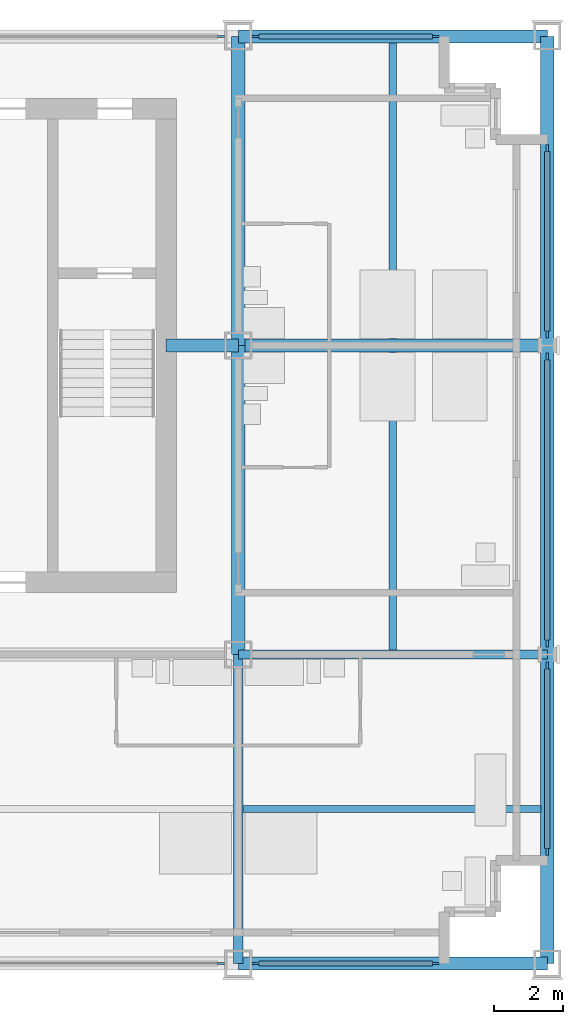
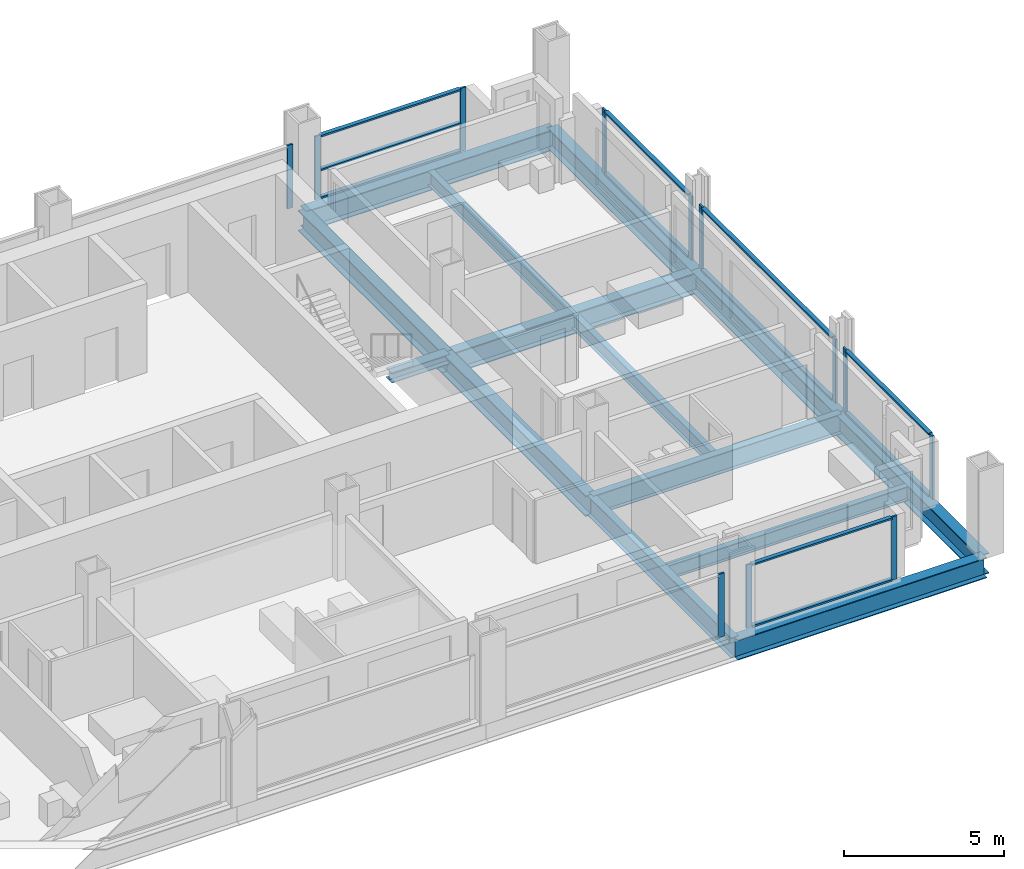
# One storey, part 5 of 13: 24 members, 13 beams, 7 elements without a shape of their own.
"""IFC4 building model written with IfcOpenShell, lengths in metres."""

from ifc_helpers import new_model, si_unit, direction, frame, origin, origin_2d, place, context, subcontext, project, spatial, rectangle, i_section, extrude, material, material_profile, profile_set, type_object, element, aggregate, save


model = new_model("IFC4")

# Units and contexts
model_context = context("Model", 3, precision=1e-05, world=origin(), true_north=direction((0.0, 1.0)))
body_context = subcontext(model_context, "Body", "Model", "MODEL_VIEW")
ifc_project = project(units=[si_unit("LENGTHUNIT", "METRE"), si_unit("AREAUNIT", "SQUARE_METRE"), si_unit("VOLUMEUNIT", "CUBIC_METRE"), si_unit("PLANEANGLEUNIT", "RADIAN"), si_unit("MASSUNIT", "GRAM", prefix="KILO")], contexts=[model_context])

# Site, building, storey
site_placement = place(None, origin())
site = spatial("IfcSite", under=ifc_project, at=site_placement, CompositionType="ELEMENT")
building_placement = place(site_placement, origin())
building = spatial("IfcBuilding", under=site, at=building_placement, Name="Loomwork Tower", CompositionType="ELEMENT")
storey_placement = place(building_placement, frame((0.0, 0.0, 187.60009765625)))
storey = spatial("IfcBuildingStorey", under=building, at=storey_placement, Name="L51", CompositionType="ELEMENT", Elevation=187.60009765625)

# Beams
ifc_material_1 = material(Name="Steel ASTM A992", Category="steel")
ifc_material_profile_1 = material_profile(ifc_material_1, i_section(OverallWidth=0.383544921875, OverallDepth=0.794921875, WebThickness=0.02099609375, FlangeThickness=0.0380859375, at=origin_2d()), Name="W30x235")
ifc_profile_set_1 = profile_set([ifc_material_profile_1], Name="Steel ASTM A992")
beam_type_1 = type_object("IfcBeamType", Name="CORE FLANK GIRDER W30x235", PredefinedType="BEAM", material=ifc_profile_set_1)
for number, where, z_axis, x_axis, name in (
    (1, (36.0, 18.0, -0.59765625), (1.0, 0.0, 0.0), (0.0, 1.0, 0.0), "Core Flank Girder F/6-F/7 L51"),
    (2, (36.0, 9.0, -0.59765625), (0.0, 1.0, 0.0), (-1.0, 0.0, 0.0), "Core Flank Girder E/6-F/6 L51"),
    (3, (36.0, 18.0, -0.59765625), (0.0, 1.0, 0.0), (-1.0, 0.0, 0.0), "Core Flank Girder F/6-G/6 L51"),
):
    element("IfcBeam", number, at=place(storey_placement, frame(where, z_axis=z_axis, x_axis=x_axis)), inside=storey, type_object=beam_type_1, Name=name, PredefinedType="BEAM", context=body_context, shape_type="SweptSolid", body=[
        extrude(i_section(OverallWidth=0.383544921875, OverallDepth=0.794921875, WebThickness=0.02099609375, FlangeThickness=0.0380859375, at=origin_2d()), origin(), (0.0, 0.0, 1.0), 9.0),
    ])

# Member
ifc_material_2 = material(Name="Steel ASTM A992", Category="steel")
ifc_material_profile_2 = material_profile(ifc_material_2, i_section(OverallWidth=0.373291015625, OverallDepth=0.373291015625, WebThickness=0.016357421875, FlangeThickness=0.026123046875, at=origin_2d()), Name="W14x132")
ifc_profile_set_2 = profile_set([ifc_material_profile_2], Name="Steel ASTM A992")
member_type_1 = type_object("IfcMemberType", Name="CORE LINK STRUT W14x132", PredefinedType="STRUT", material=ifc_profile_set_2)
member_1_placement = place(storey_placement, frame((36.0, 18.0, -0.38671875), z_axis=(-1.0, 0.0, 0.0), x_axis=(0.0, -1.0, 0.0)))
element("IfcMember", 4, at=member_1_placement, inside=storey, type_object=member_type_1, Name="Core link strut F/6-33.900,18.000 L51", PredefinedType="STRUT", context=body_context, shape_type="SweptSolid", body=[
    extrude(i_section(OverallWidth=0.373291015625, OverallDepth=0.373291015625, WebThickness=0.016357421875, FlangeThickness=0.026123046875, at=origin_2d()), origin(), (0.0, 0.0, 1.0), 2.10009765625),
])

# Beams
ifc_material_3 = material(Name="Steel ASTM A992", Category="steel")
ifc_material_profile_3 = material_profile(ifc_material_3, i_section(OverallWidth=0.2666015625, OverallDepth=0.761962890625, WebThickness=0.014404296875, FlangeThickness=0.021484375, at=origin_2d()), Name="W30x116")
ifc_profile_set_3 = profile_set([ifc_material_profile_3], Name="Steel ASTM A992")
beam_type_2 = type_object("IfcBeamType", Name="FLOOR GIRDER W30x116", PredefinedType="BEAM", material=ifc_profile_set_3)
for number, where, z_axis, x_axis, name in (
    (5, (36.0, 9.0, -0.5810546875), (1.0, 0.0, 0.0), (0.0, 1.0, 0.0), "Floor Girder E/6-E/7 L51"),
    (6, (36.0, 0.0, -0.5810546875), (0.0, 1.0, 0.0), (-1.0, 0.0, 0.0), "Floor Girder D/6-E/6 L51"),
):
    element("IfcBeam", number, at=place(storey_placement, frame(where, z_axis=z_axis, x_axis=x_axis)), inside=storey, type_object=beam_type_2, Name=name, PredefinedType="BEAM", context=body_context, shape_type="SweptSolid", body=[
        extrude(i_section(OverallWidth=0.2666015625, OverallDepth=0.761962890625, WebThickness=0.014404296875, FlangeThickness=0.021484375, at=origin_2d()), origin(), (0.0, 0.0, 1.0), 9.0),
    ])
ifc_material_4 = material(Name="Steel ASTM A992", Category="steel")
ifc_material_profile_4 = material_profile(ifc_material_4, i_section(OverallWidth=0.2109375, OverallDepth=0.53857421875, WebThickness=0.011474609375, FlangeThickness=0.018798828125, at=origin_2d()), Name="W21x73")
ifc_profile_set_4 = profile_set([ifc_material_profile_4], Name="Steel ASTM A992")
beam_type_3 = type_object("IfcBeamType", Name="FLOOR JOIST W21x73", PredefinedType="JOIST", material=ifc_profile_set_4)
beam_1_placement = place(storey_placement, frame((36.133056640625, 4.5, -0.46923828125), z_axis=(1.0, 0.0, 0.0), x_axis=(0.0, 1.0, 0.0)))
element("IfcBeam", 7, at=beam_1_placement, inside=storey, type_object=beam_type_3, Name="Floor Joist 36.000,4.500-45.000,4.500 L51", PredefinedType="JOIST", context=body_context, shape_type="SweptSolid", body=[
    extrude(i_section(OverallWidth=0.2109375, OverallDepth=0.53857421875, WebThickness=0.011474609375, FlangeThickness=0.018798828125, at=origin_2d()), origin(), (0.0, 0.0, 1.0), 8.677001953125),
])
beam_2_placement = place(storey_placement, frame((40.5, 9.133056640625, -0.46923828125), z_axis=(0.0, 1.0, 0.0), x_axis=(-1.0, 0.0, 0.0)))
element("IfcBeam", 8, at=beam_2_placement, inside=storey, type_object=beam_type_3, Name="Floor Joist 40.500,9.000-40.500,18.000 L51", PredefinedType="JOIST", context=body_context, shape_type="SweptSolid", body=[
    extrude(i_section(OverallWidth=0.2109375, OverallDepth=0.53857421875, WebThickness=0.011474609375, FlangeThickness=0.018798828125, at=origin_2d()), origin(), (0.0, 0.0, 1.0), 8.676025390625),
])
beam_3_placement = place(storey_placement, frame((40.5, 18.19091796875, -0.46923828125), z_axis=(0.0, 1.0, 0.0), x_axis=(-1.0, 0.0, 0.0)))
element("IfcBeam", 9, at=beam_3_placement, inside=storey, type_object=beam_type_3, Name="Floor Joist 40.500,18.000-40.500,27.000 L51", PredefinedType="JOIST", context=body_context, shape_type="SweptSolid", body=[
    extrude(i_section(OverallWidth=0.2109375, OverallDepth=0.53857421875, WebThickness=0.011474609375, FlangeThickness=0.018798828125, at=origin_2d()), origin(), (0.0, 0.0, 1.0), 8.619140625),
])

# Curtain wall, member
ifc_material_5 = material(Name="Aluminium curtain wall frame", Category="aluminium")
curtain_wall_type_1 = type_object("IfcCurtainWallType", Name="Outer skin glazing hotel", PredefinedType="NOTDEFINED", material=ifc_material_5)
curtain_wall_1_placement = place(storey_placement, origin())
curtain_wall_1 = element("IfcCurtainWall", 10, at=curtain_wall_1_placement, inside=storey, type_object=curtain_wall_type_1, Name="Outer skin glazing hotel cw/S-27", PredefinedType="NOTDEFINED")
ifc_material_6 = material(Name="Aluminium curtain wall frame", Category="aluminium")
ifc_material_profile_5 = material_profile(ifc_material_6, rectangle(XDim=0.06494140625, YDim=0.199951171875, at=origin_2d()), Name="AL 65x200")
ifc_profile_set_5 = profile_set([ifc_material_profile_5], Name="Aluminium curtain wall frame")
member_type_2 = type_object("IfcMemberType", Name="Outer skin glazing hotel mullion", PredefinedType="MULLION", material=ifc_profile_set_5)
member_2_placement = place(storey_placement, frame((35.5, 0.0, 0.0), z_axis=(0.0, 0.0, 1.0), x_axis=(0.0, 1.0, 0.0)))
member_2 = element("IfcMember", 11, at=member_2_placement, type_object=member_type_2, Name="CW1 mullion 2", PredefinedType="MULLION", context=body_context, shape_type="SweptSolid", body=[
    extrude(rectangle(XDim=0.06494140625, YDim=0.199951171875, at=origin_2d()), origin(), (0.0, 0.0, 1.0), 2.420166015625),
])
aggregate(curtain_wall_1, [member_2])

# Curtain wall, members
curtain_wall_2_placement = place(storey_placement, origin())
curtain_wall_2 = element("IfcCurtainWall", 12, at=curtain_wall_2_placement, inside=storey, type_object=curtain_wall_type_1, Name="Outer skin glazing hotel cw/S-36", PredefinedType="NOTDEFINED")
member_3_placement = place(storey_placement, frame((36.5, 0.0, 0.0), z_axis=(0.0, 0.0, 1.0), x_axis=(0.0, 1.0, 0.0)))
member_3 = element("IfcMember", 13, at=member_3_placement, type_object=member_type_2, Name="CW1 mullion 1", PredefinedType="MULLION", context=body_context, shape_type="SweptSolid", body=[
    extrude(rectangle(XDim=0.06494140625, YDim=0.199951171875, at=origin_2d()), origin(), (0.0, 0.0, 1.0), 2.420166015625),
])
member_4_placement = place(storey_placement, frame((41.75, 0.0, 0.0), z_axis=(0.0, 0.0, 1.0), x_axis=(0.0, 1.0, 0.0)))
member_4 = element("IfcMember", 14, at=member_4_placement, type_object=member_type_2, Name="CW1 mullion 2", PredefinedType="MULLION", context=body_context, shape_type="SweptSolid", body=[
    extrude(rectangle(XDim=0.06494140625, YDim=0.199951171875, at=origin_2d()), origin(), (0.0, 0.0, 1.0), 2.420166015625),
])

curtain_wall_3_placement = place(storey_placement, origin())
curtain_wall_3 = element("IfcCurtainWall", 15, at=curtain_wall_3_placement, inside=storey, type_object=curtain_wall_type_1, Name="Outer skin glazing hotel cw/E-0", PredefinedType="NOTDEFINED")
member_5_placement = place(storey_placement, frame((45.0, 3.25, 0.0), z_axis=(0.0, 0.0, 1.0), x_axis=(-1.0, 0.0, 0.0)))
member_5 = element("IfcMember", 16, at=member_5_placement, type_object=member_type_2, Name="CW1 mullion 1", PredefinedType="MULLION", context=body_context, shape_type="SweptSolid", body=[
    extrude(rectangle(XDim=0.06494140625, YDim=0.199951171875, at=origin_2d()), origin(), (0.0, 0.0, 1.0), 2.420166015625),
])
member_6_placement = place(storey_placement, frame((45.0, 8.67529296875, 0.0), z_axis=(0.0, 0.0, 1.0), x_axis=(-1.0, 0.0, 0.0)))
member_6 = element("IfcMember", 17, at=member_6_placement, type_object=member_type_2, Name="CW1 mullion 2", PredefinedType="MULLION", context=body_context, shape_type="SweptSolid", body=[
    extrude(rectangle(XDim=0.06494140625, YDim=0.199951171875, at=origin_2d()), origin(), (0.0, 0.0, 1.0), 2.420166015625),
])

curtain_wall_4_placement = place(storey_placement, origin())
curtain_wall_4 = element("IfcCurtainWall", 18, at=curtain_wall_4_placement, inside=storey, type_object=curtain_wall_type_1, Name="Outer skin glazing hotel cw/E-9", PredefinedType="NOTDEFINED")
member_7_placement = place(storey_placement, frame((45.0, 9.32470703125, 0.0), z_axis=(0.0, 0.0, 1.0), x_axis=(-1.0, 0.0, 0.0)))
member_7 = element("IfcMember", 19, at=member_7_placement, type_object=member_type_2, Name="CW1 mullion 1", PredefinedType="MULLION", context=body_context, shape_type="SweptSolid", body=[
    extrude(rectangle(XDim=0.06494140625, YDim=0.199951171875, at=origin_2d()), origin(), (0.0, 0.0, 1.0), 2.420166015625),
])
member_8_placement = place(storey_placement, frame((45.0, 17.67529296875, 0.0), z_axis=(0.0, 0.0, 1.0), x_axis=(-1.0, 0.0, 0.0)))
member_8 = element("IfcMember", 20, at=member_8_placement, type_object=member_type_2, Name="CW1 mullion 2", PredefinedType="MULLION", context=body_context, shape_type="SweptSolid", body=[
    extrude(rectangle(XDim=0.06494140625, YDim=0.199951171875, at=origin_2d()), origin(), (0.0, 0.0, 1.0), 2.420166015625),
])

curtain_wall_5_placement = place(storey_placement, origin())
curtain_wall_5 = element("IfcCurtainWall", 21, at=curtain_wall_5_placement, inside=storey, type_object=curtain_wall_type_1, Name="Outer skin glazing hotel cw/E-18", PredefinedType="NOTDEFINED")
member_9_placement = place(storey_placement, frame((45.0, 18.32470703125, 0.0), z_axis=(0.0, 0.0, 1.0), x_axis=(-1.0, 0.0, 0.0)))
member_9 = element("IfcMember", 22, at=member_9_placement, type_object=member_type_2, Name="CW1 mullion 1", PredefinedType="MULLION", context=body_context, shape_type="SweptSolid", body=[
    extrude(rectangle(XDim=0.06494140625, YDim=0.199951171875, at=origin_2d()), origin(), (0.0, 0.0, 1.0), 2.420166015625),
])
member_10_placement = place(storey_placement, frame((45.0, 23.75, 0.0), z_axis=(0.0, 0.0, 1.0), x_axis=(-1.0, 0.0, 0.0)))
member_10 = element("IfcMember", 23, at=member_10_placement, type_object=member_type_2, Name="CW1 mullion 2", PredefinedType="MULLION", context=body_context, shape_type="SweptSolid", body=[
    extrude(rectangle(XDim=0.06494140625, YDim=0.199951171875, at=origin_2d()), origin(), (0.0, 0.0, 1.0), 2.420166015625),
])

# Member
ifc_material_7 = material(Name="Aluminium curtain wall frame", Category="aluminium")
ifc_material_profile_6 = material_profile(ifc_material_7, rectangle(XDim=0.14990234375, YDim=0.06494140625, at=origin_2d()), Name="AL 65x150")
ifc_profile_set_6 = profile_set([ifc_material_profile_6], Name="Aluminium curtain wall frame")
member_type_3 = type_object("IfcMemberType", Name="Outer skin glazing hotel transom", PredefinedType="USERDEFINED", material=ifc_profile_set_6)
member_11_placement = place(storey_placement, frame((36.60009765625, 0.0, 0.032470703125), z_axis=(1.0, 0.0, 0.0), x_axis=(0.0, 1.0, 0.0)))
member_11 = element("IfcMember", 24, at=member_11_placement, type_object=member_type_3, Name="CW1 transom 1.1", ObjectType="TRANSOM", PredefinedType="USERDEFINED", context=body_context, shape_type="SweptSolid", body=[
    extrude(rectangle(XDim=0.14990234375, YDim=0.06494140625, at=origin_2d()), origin(), (0.0, 0.0, 1.0), 5.0498046875),
])

member_12_placement = place(storey_placement, frame((36.60009765625, 0.0, 2.3876953125), z_axis=(1.0, 0.0, 0.0), x_axis=(0.0, 1.0, 0.0)))
member_12 = element("IfcMember", 25, at=member_12_placement, type_object=member_type_3, Name="CW1 transom 1.2", ObjectType="TRANSOM", PredefinedType="USERDEFINED", context=body_context, shape_type="SweptSolid", body=[
    extrude(rectangle(XDim=0.14990234375, YDim=0.06494140625, at=origin_2d()), origin(), (0.0, 0.0, 1.0), 5.0498046875),
])

aggregate(curtain_wall_2, [member_3, member_4, member_11, member_12])

member_13_placement = place(storey_placement, frame((45.0, 3.35009765625, 0.032470703125), z_axis=(0.0, 1.0, 0.0), x_axis=(-1.0, 0.0, 0.0)))
member_13 = element("IfcMember", 26, at=member_13_placement, type_object=member_type_3, Name="CW1 transom 1.1", ObjectType="TRANSOM", PredefinedType="USERDEFINED", context=body_context, shape_type="SweptSolid", body=[
    extrude(rectangle(XDim=0.14990234375, YDim=0.06494140625, at=origin_2d()), origin(), (0.0, 0.0, 1.0), 5.22509765625),
])

member_14_placement = place(storey_placement, frame((45.0, 3.35009765625, 2.3876953125), z_axis=(0.0, 1.0, 0.0), x_axis=(-1.0, 0.0, 0.0)))
member_14 = element("IfcMember", 27, at=member_14_placement, type_object=member_type_3, Name="CW1 transom 1.2", ObjectType="TRANSOM", PredefinedType="USERDEFINED", context=body_context, shape_type="SweptSolid", body=[
    extrude(rectangle(XDim=0.14990234375, YDim=0.06494140625, at=origin_2d()), origin(), (0.0, 0.0, 1.0), 5.22509765625),
])

aggregate(curtain_wall_3, [member_5, member_6, member_13, member_14])

member_15_placement = place(storey_placement, frame((45.0, 9.4248046875, 0.032470703125), z_axis=(0.0, 1.0, 0.0), x_axis=(-1.0, 0.0, 0.0)))
member_15 = element("IfcMember", 28, at=member_15_placement, type_object=member_type_3, Name="CW1 transom 1.1", ObjectType="TRANSOM", PredefinedType="USERDEFINED", context=body_context, shape_type="SweptSolid", body=[
    extrude(rectangle(XDim=0.14990234375, YDim=0.06494140625, at=origin_2d()), origin(), (0.0, 0.0, 1.0), 8.150390625),
])

member_16_placement = place(storey_placement, frame((45.0, 9.4248046875, 2.3876953125), z_axis=(0.0, 1.0, 0.0), x_axis=(-1.0, 0.0, 0.0)))
member_16 = element("IfcMember", 29, at=member_16_placement, type_object=member_type_3, Name="CW1 transom 1.2", ObjectType="TRANSOM", PredefinedType="USERDEFINED", context=body_context, shape_type="SweptSolid", body=[
    extrude(rectangle(XDim=0.14990234375, YDim=0.06494140625, at=origin_2d()), origin(), (0.0, 0.0, 1.0), 8.150390625),
])

aggregate(curtain_wall_4, [member_7, member_8, member_15, member_16])

member_17_placement = place(storey_placement, frame((45.0, 18.4248046875, 0.032470703125), z_axis=(0.0, 1.0, 0.0), x_axis=(-1.0, 0.0, 0.0)))
member_17 = element("IfcMember", 30, at=member_17_placement, type_object=member_type_3, Name="CW1 transom 1.1", ObjectType="TRANSOM", PredefinedType="USERDEFINED", context=body_context, shape_type="SweptSolid", body=[
    extrude(rectangle(XDim=0.14990234375, YDim=0.06494140625, at=origin_2d()), origin(), (0.0, 0.0, 1.0), 5.22509765625),
])

member_18_placement = place(storey_placement, frame((45.0, 18.4248046875, 2.3876953125), z_axis=(0.0, 1.0, 0.0), x_axis=(-1.0, 0.0, 0.0)))
member_18 = element("IfcMember", 31, at=member_18_placement, type_object=member_type_3, Name="CW1 transom 1.2", ObjectType="TRANSOM", PredefinedType="USERDEFINED", context=body_context, shape_type="SweptSolid", body=[
    extrude(rectangle(XDim=0.14990234375, YDim=0.06494140625, at=origin_2d()), origin(), (0.0, 0.0, 1.0), 5.22509765625),
])

aggregate(curtain_wall_5, [member_9, member_10, member_17, member_18])

# Beams
ifc_material_8 = material(Name="Steel ASTM A992", Category="steel")
ifc_material_profile_7 = material_profile(ifc_material_8, i_section(OverallWidth=0.381103515625, OverallDepth=0.77978515625, WebThickness=0.01806640625, FlangeThickness=0.0302734375, at=origin_2d()), Name="W30x191")
ifc_profile_set_7 = profile_set([ifc_material_profile_7], Name="Steel ASTM A992")
beam_type_4 = type_object("IfcBeamType", Name="SPANDREL GIRDER W30x191", PredefinedType="SPANDREL", material=ifc_profile_set_7)
for number, where, z_axis, x_axis, name in (
    (32, (36.0, 0.0, -0.590087890625), (1.0, 0.0, 0.0), (0.0, 1.0, 0.0), "Spandrel Girder D/6-D/7 L51"),
    (33, (36.0, 27.0, -0.590087890625), (1.0, 0.0, 0.0), (0.0, 1.0, 0.0), "Spandrel Girder G/6-G/7 L51"),
    (34, (45.0, 0.0, -0.590087890625), (0.0, 1.0, 0.0), (-1.0, 0.0, 0.0), "Spandrel Girder D/7-E/7 L51"),
    (35, (45.0, 9.0, -0.590087890625), (0.0, 1.0, 0.0), (-1.0, 0.0, 0.0), "Spandrel Girder E/7-F/7 L51"),
    (36, (45.0, 18.0, -0.590087890625), (0.0, 1.0, 0.0), (-1.0, 0.0, 0.0), "Spandrel Girder F/7-G/7 L51"),
):
    element("IfcBeam", number, at=place(storey_placement, frame(where, z_axis=z_axis, x_axis=x_axis)), inside=storey, type_object=beam_type_4, Name=name, PredefinedType="SPANDREL", context=body_context, shape_type="SweptSolid", body=[
        extrude(i_section(OverallWidth=0.381103515625, OverallDepth=0.77978515625, WebThickness=0.01806640625, FlangeThickness=0.0302734375, at=origin_2d()), origin(), (0.0, 0.0, 1.0), 9.0),
    ])

# Curtain wall, member
ifc_material_9 = material(Name="Aluminium curtain wall frame", Category="aluminium")
curtain_wall_type_2 = type_object("IfcCurtainWallType", Name="Single skin glazing corridor", PredefinedType="NOTDEFINED", material=ifc_material_9)
curtain_wall_6_placement = place(storey_placement, origin())
curtain_wall_6 = element("IfcCurtainWall", 37, at=curtain_wall_6_placement, inside=storey, type_object=curtain_wall_type_2, Name="Single skin glazing corridor cw/N-27", PredefinedType="NOTDEFINED")
ifc_material_10 = material(Name="Aluminium curtain wall frame", Category="aluminium")
ifc_material_profile_8 = material_profile(ifc_material_10, rectangle(XDim=0.06494140625, YDim=0.199951171875, at=origin_2d()), Name="AL 65x200")
ifc_profile_set_8 = profile_set([ifc_material_profile_8], Name="Aluminium curtain wall frame")
member_type_4 = type_object("IfcMemberType", Name="Single skin glazing corridor mullion", PredefinedType="MULLION", material=ifc_profile_set_8)
member_19_placement = place(storey_placement, frame((35.5, 27.0, 0.0), z_axis=(0.0, 0.0, 1.0), x_axis=(0.0, -1.0, 0.0)))
member_19 = element("IfcMember", 38, at=member_19_placement, type_object=member_type_4, Name="CW3 mullion 1", PredefinedType="MULLION", context=body_context, shape_type="SweptSolid", body=[
    extrude(rectangle(XDim=0.06494140625, YDim=0.199951171875, at=origin_2d()), origin(), (0.0, 0.0, 1.0), 2.420166015625),
])
aggregate(curtain_wall_6, [member_19])

# Curtain wall, members
curtain_wall_7_placement = place(storey_placement, origin())
curtain_wall_7 = element("IfcCurtainWall", 39, at=curtain_wall_7_placement, inside=storey, type_object=curtain_wall_type_2, Name="Single skin glazing corridor cw/N-36", PredefinedType="NOTDEFINED")
member_20_placement = place(storey_placement, frame((41.75, 27.0, 0.0), z_axis=(0.0, 0.0, 1.0), x_axis=(0.0, -1.0, 0.0)))
member_20 = element("IfcMember", 40, at=member_20_placement, type_object=member_type_4, Name="CW3 mullion 1", PredefinedType="MULLION", context=body_context, shape_type="SweptSolid", body=[
    extrude(rectangle(XDim=0.06494140625, YDim=0.199951171875, at=origin_2d()), origin(), (0.0, 0.0, 1.0), 2.420166015625),
])
member_21_placement = place(storey_placement, frame((36.5, 27.0, 0.0), z_axis=(0.0, 0.0, 1.0), x_axis=(0.0, -1.0, 0.0)))
member_21 = element("IfcMember", 41, at=member_21_placement, type_object=member_type_4, Name="CW3 mullion 2", PredefinedType="MULLION", context=body_context, shape_type="SweptSolid", body=[
    extrude(rectangle(XDim=0.06494140625, YDim=0.199951171875, at=origin_2d()), origin(), (0.0, 0.0, 1.0), 2.420166015625),
])
ifc_material_11 = material(Name="Aluminium curtain wall frame", Category="aluminium")
ifc_material_profile_9 = material_profile(ifc_material_11, rectangle(XDim=0.14990234375, YDim=0.06494140625, at=origin_2d()), Name="AL 65x150")
ifc_profile_set_9 = profile_set([ifc_material_profile_9], Name="Aluminium curtain wall frame")
member_type_5 = type_object("IfcMemberType", Name="Single skin glazing corridor transom", PredefinedType="USERDEFINED", material=ifc_profile_set_9)
member_22_placement = place(storey_placement, frame((41.64990234375, 27.0, 0.032470703125), z_axis=(-1.0, 0.0, 0.0), x_axis=(0.0, -1.0, 0.0)))
member_22 = element("IfcMember", 42, at=member_22_placement, type_object=member_type_5, Name="CW3 transom 1.1", ObjectType="TRANSOM", PredefinedType="USERDEFINED", context=body_context, shape_type="SweptSolid", body=[
    extrude(rectangle(XDim=0.14990234375, YDim=0.06494140625, at=origin_2d()), origin(), (0.0, 0.0, 1.0), 5.0498046875),
])
member_23_placement = place(storey_placement, frame((41.64990234375, 27.0, 1.099853515625), z_axis=(-1.0, 0.0, 0.0), x_axis=(0.0, -1.0, 0.0)))
member_23 = element("IfcMember", 43, at=member_23_placement, type_object=member_type_5, Name="CW3 transom 1.2", ObjectType="TRANSOM", PredefinedType="USERDEFINED", context=body_context, shape_type="SweptSolid", body=[
    extrude(rectangle(XDim=0.14990234375, YDim=0.06494140625, at=origin_2d()), origin(), (0.0, 0.0, 1.0), 5.0498046875),
])
member_24_placement = place(storey_placement, frame((41.64990234375, 27.0, 2.3876953125), z_axis=(-1.0, 0.0, 0.0), x_axis=(0.0, -1.0, 0.0)))
member_24 = element("IfcMember", 44, at=member_24_placement, type_object=member_type_5, Name="CW3 transom 1.3", ObjectType="TRANSOM", PredefinedType="USERDEFINED", context=body_context, shape_type="SweptSolid", body=[
    extrude(rectangle(XDim=0.14990234375, YDim=0.06494140625, at=origin_2d()), origin(), (0.0, 0.0, 1.0), 5.0498046875),
])
aggregate(curtain_wall_7, [member_20, member_21, member_22, member_23, member_24])

save(model, "model.ifc")
